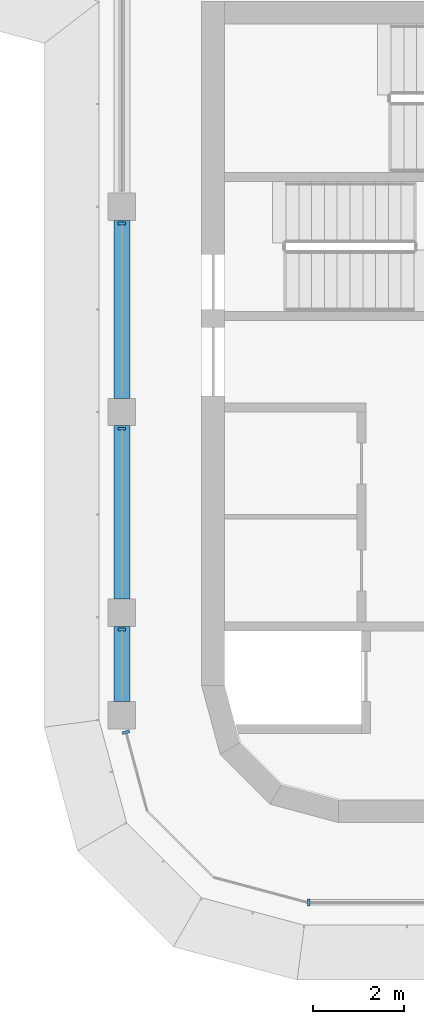
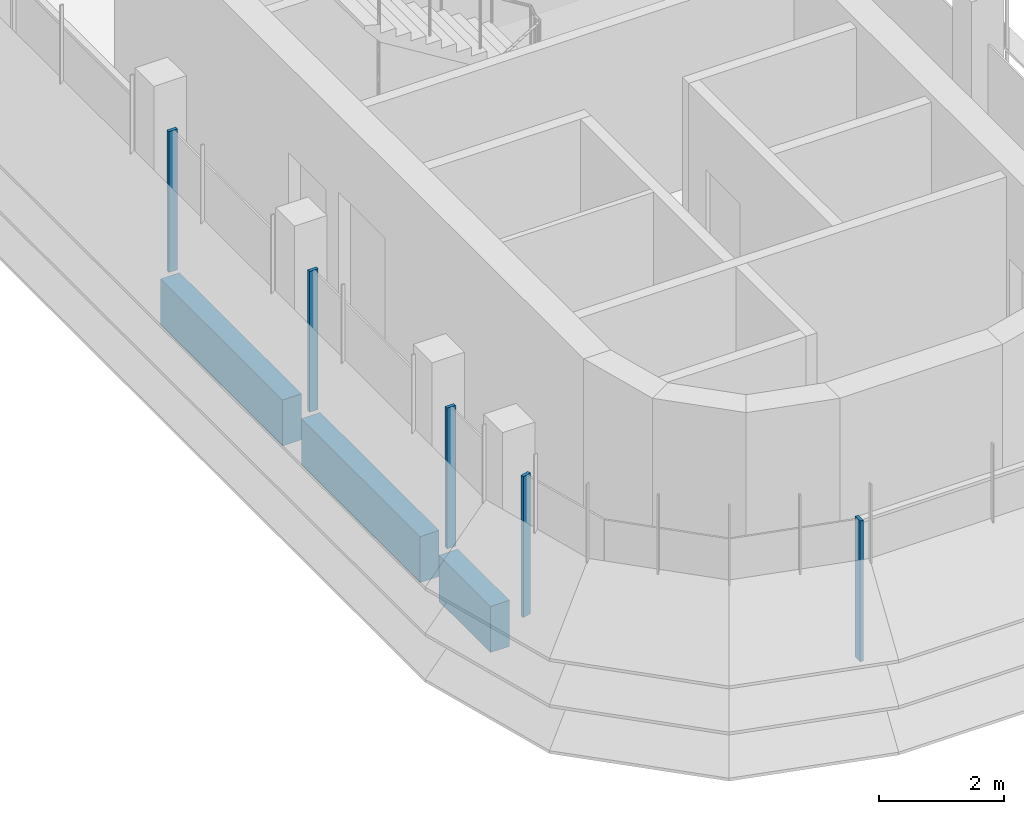
# One storey, part 2 of 19: 5 members, 3 beams, 3 elements without a shape of their own.
"""IFC4 building model written with IfcOpenShell, lengths in metres."""

from ifc_helpers import new_model, si_unit, direction, frame, origin, origin_2d, place, context, subcontext, project, spatial, polyline, rectangle, outline, extrude, source, transform, mapped, material, material_profile, profile_set, type_object, element, aggregate, save


model = new_model("IFC4")

# Units and contexts
model_context = context("Model", 3, precision=1e-05, world=origin(), true_north=direction((0.0, 1.0)))
body_context = subcontext(model_context, "Body", "Model", "MODEL_VIEW")
ifc_project = project(units=[si_unit("LENGTHUNIT", "METRE"), si_unit("AREAUNIT", "SQUARE_METRE"), si_unit("VOLUMEUNIT", "CUBIC_METRE"), si_unit("PLANEANGLEUNIT", "RADIAN"), si_unit("MASSUNIT", "GRAM", prefix="KILO")], contexts=[model_context])

# Site, building, storey
site_placement = place(None, origin())
site = spatial("IfcSite", under=ifc_project, at=site_placement, CompositionType="ELEMENT")
building_placement = place(site_placement, origin())
building = spatial("IfcBuilding", under=site, at=building_placement, Name="Zarbagh Exchange Tower", CompositionType="ELEMENT")
storey_placement = place(building_placement, frame((0.0, 0.0, 257.39990234375)))
storey = spatial("IfcBuildingStorey", under=building, at=storey_placement, Name="L63", CompositionType="ELEMENT", Elevation=257.39990234375)

# Beams
ifc_material_1 = material(Name="Concrete C40/50", Category="concrete")
ifc_material_profile = material_profile(ifc_material_1, rectangle(XDim=0.35009765625, YDim=0.89990234375, at=origin_2d()), Name="RC spandrel beam 350 x 900 C40/50")
ifc_profile_set = profile_set([ifc_material_profile], Name="Concrete C40/50")
beam_type = type_object("IfcBeamType", Name="RC spandrel beam 350 x 900 C40/50", PredefinedType="SPANDREL", material=ifc_profile_set)
beam_1_placement = place(storey_placement, frame((-6.25, -26.60009765625, -0.599853515625), z_axis=(0.0, 1.0, 0.0), x_axis=(-1.0, 0.0, 0.0)))
element("IfcBeam", 1, at=beam_1_placement, inside=storey, type_object=beam_type, Name="RC spandrel beam", PredefinedType="SPANDREL", context=body_context, shape_type="SweptSolid", body=[
    extrude(rectangle(XDim=0.35009765625, YDim=0.89990234375, at=origin_2d()), origin(), (0.0, 0.0, 1.0), 1.650146484375),
])
beam_2_placement = place(storey_placement, frame((-6.25, -24.35009765625, -0.599853515625), z_axis=(0.0, 1.0, 0.0), x_axis=(-1.0, 0.0, 0.0)))
element("IfcBeam", 2, at=beam_2_placement, inside=storey, type_object=beam_type, Name="RC spandrel beam", PredefinedType="SPANDREL", context=body_context, shape_type="SweptSolid", body=[
    extrude(rectangle(XDim=0.35009765625, YDim=0.89990234375, at=origin_2d()), origin(), (0.0, 0.0, 1.0), 3.800048828125),
])
beam_3_placement = place(storey_placement, frame((-6.25, -19.949951171875, -0.599853515625), z_axis=(0.0, 1.0, 0.0), x_axis=(-1.0, 0.0, 0.0)))
element("IfcBeam", 3, at=beam_3_placement, inside=storey, type_object=beam_type, Name="RC spandrel beam", PredefinedType="SPANDREL", context=body_context, shape_type="SweptSolid", body=[
    extrude(rectangle(XDim=0.35009765625, YDim=0.89990234375, at=origin_2d()), origin(), (0.0, 0.0, 1.0), 3.89990234375),
])

# Curtain wall, members
ifc_material_2 = material(Name="Anodised aluminium frame and glazing", Category="aluminium")
curtain_wall_type = type_object("IfcCurtainWallType", Name="CWB Ribbon glazing, upper zones", PredefinedType="NOTDEFINED", material=ifc_material_2)
curtain_wall_1_placement = place(storey_placement, origin())
curtain_wall_1 = element("IfcCurtainWall", 4, at=curtain_wall_1_placement, inside=storey, type_object=curtain_wall_type, Name="CWB53 curtain wall", PredefinedType="NOTDEFINED")
ifc_material_3 = material(Name="Anodised aluminium frame", Category="aluminium")
member_type = type_object("IfcMemberType", Name="MUB Mullion, anodised aluminium frame", PredefinedType="MULLION", material=ifc_material_3)
shared_shape = source(origin(), body_context, "Body", "SweptSolid", [
    extrude(outline(polyline([(0.0, -0.080078125), (0.06005859375, -0.080078125), (0.06005859375, 0.080078125), (0.0, 0.080078125), (0.0, -0.080078125)])), origin(), (0.0, 0.0, 1.0), 2.75),
])
placement = place(storey_placement, origin())
member_1 = element("IfcMember", 5, at=placement, type_object=member_type, Name="CWB53 mullion 2.1", PredefinedType="MULLION", context=body_context, shape_type="MappedRepresentation", body=[
    mapped(shared_shape, transform((-6.25, -16.090087890625, 0.0), x_axis=(0.0, -1.0, 0.0), y_axis=(1.0, 0.0, 0.0), z_axis=(0.0, 0.0, 1.0))),
])
member_2 = element("IfcMember", 6, at=placement, type_object=member_type, Name="CWB53 mullion 3.1", PredefinedType="MULLION", context=body_context, shape_type="MappedRepresentation", body=[
    mapped(shared_shape, transform((-6.25, -20.590087890625, 0.0), x_axis=(0.0, -1.0, 0.0), y_axis=(1.0, 0.0, 0.0), z_axis=(0.0, 0.0, 1.0))),
])
member_3 = element("IfcMember", 7, at=placement, type_object=member_type, Name="CWB53 mullion 4.1", PredefinedType="MULLION", context=body_context, shape_type="MappedRepresentation", body=[
    mapped(shared_shape, transform((-6.25, -24.989990234375, 0.0), x_axis=(0.0, -1.0, 0.0), y_axis=(1.0, 0.0, 0.0), z_axis=(0.0, 0.0, 1.0))),
])
aggregate(curtain_wall_1, [member_1, member_2, member_3])

# Curtain wall, member
curtain_wall_2_placement = place(storey_placement, origin())
curtain_wall_2 = element("IfcCurtainWall", 8, at=curtain_wall_2_placement, inside=storey, type_object=curtain_wall_type, Name="CWB54 curtain wall", PredefinedType="NOTDEFINED")
member_4 = element("IfcMember", 9, at=placement, type_object=member_type, Name="CWB54 mullion 1.1", PredefinedType="MULLION", context=body_context, shape_type="MappedRepresentation", body=[
    mapped(shared_shape, transform((-6.16796875, -27.239990234375, 0.0), x_axis=(0.258824779902, -0.965924289636, 0.0), y_axis=(0.965924289636, 0.258824779902, 0.0), z_axis=(0.0, 0.0, 1.0))),
])
aggregate(curtain_wall_2, [member_4])

curtain_wall_3_placement = place(storey_placement, origin())
curtain_wall_3 = element("IfcCurtainWall", 10, at=curtain_wall_3_placement, inside=storey, type_object=curtain_wall_type, Name="CWB57 curtain wall", PredefinedType="NOTDEFINED")
member_5 = element("IfcMember", 11, at=placement, type_object=member_type, Name="CWB57 mullion 1.1", PredefinedType="MULLION", context=body_context, shape_type="MappedRepresentation", body=[
    mapped(shared_shape, transform((-2.18408203125, -31.0, 0.0), x_axis=(1.0, 0.0, 0.0), y_axis=(0.0, 1.0, 0.0), z_axis=(0.0, 0.0, 1.0))),
])
aggregate(curtain_wall_3, [member_5])

save(model, "model.ifc")
